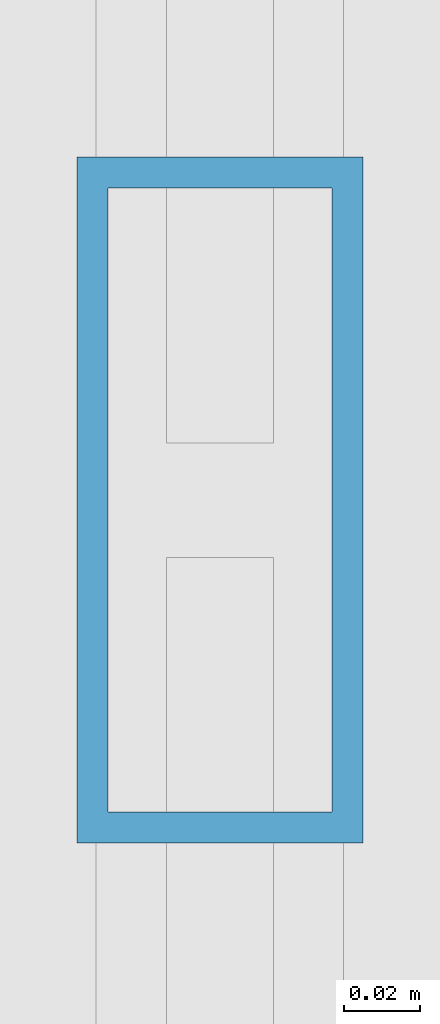
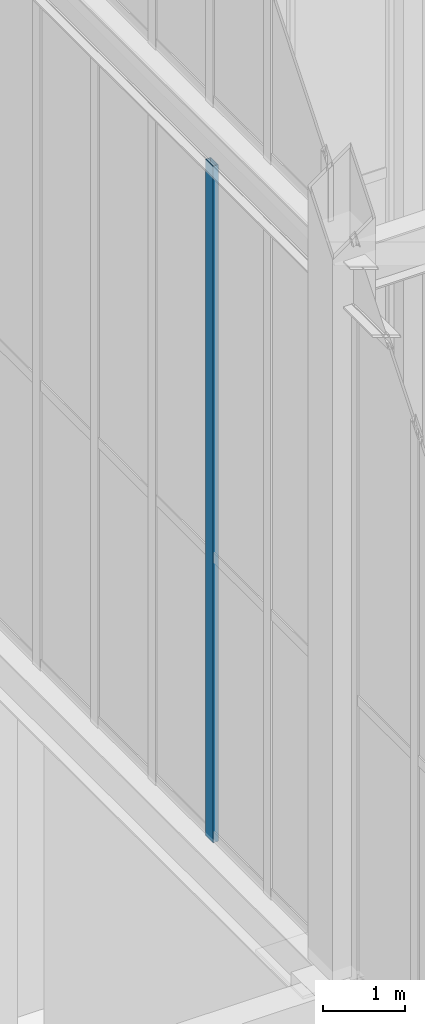
# One storey, part 89 of 135: 1 member, 1 element without a shape of its own.
"""IFC4 building model written with IfcOpenShell, lengths in metres."""

from ifc_helpers import new_model, si_unit, direction, frame, origin, origin_2d, place, context, subcontext, project, spatial, hollow_rectangle, extrude, source, transform, mapped, material, layer, layer_set, material_profile, profile_set, type_object, element, aggregate, save


model = new_model("IFC4")

# Units and contexts
model_context = context("Model", 3, precision=1e-05, world=origin(), true_north=direction((0.0, 1.0)))
body_context = subcontext(model_context, "Body", "Model", "MODEL_VIEW")
ifc_project = project(units=[si_unit("LENGTHUNIT", "METRE"), si_unit("AREAUNIT", "SQUARE_METRE"), si_unit("VOLUMEUNIT", "CUBIC_METRE"), si_unit("PLANEANGLEUNIT", "RADIAN"), si_unit("MASSUNIT", "GRAM", prefix="KILO")], contexts=[model_context])

# Site, building, storey
site_placement = place(None, origin())
site = spatial("IfcSite", under=ifc_project, at=site_placement, CompositionType="ELEMENT")
building_placement = place(site_placement, origin())
building = spatial("IfcBuilding", under=site, at=building_placement, Name="Giltprow Tower", CompositionType="ELEMENT")
storey_placement = place(building_placement, frame((0.0, 0.0, 352.699951171875)))
storey = spatial("IfcBuildingStorey", under=building, at=storey_placement, Name="L92", CompositionType="ELEMENT", Elevation=352.699951171875)

# Curtain wall, member
ifc_material = material(Name="Anodized bronze", Category="metal")
ifc_layer = layer(ifc_material, 0.179931640625, Name="Anodized bronze")
ifc_layer_set = layer_set([ifc_layer], Name="Anodized bronze")
curtain_wall_type = type_object("IfcCurtainWallType", Name="CW-CROWN-LANTERN", PredefinedType="NOTDEFINED", material=ifc_layer_set)
curtain_wall_placement = place(storey_placement, origin())
curtain_wall = element("IfcCurtainWall", 1, at=curtain_wall_placement, inside=storey, type_object=curtain_wall_type, Name="Crown East Lower Lantern Glazing 5", PredefinedType="NOTDEFINED")
ifc_material_profile = material_profile(ifc_material, hollow_rectangle(XDim=0.074951171875, YDim=0.179931640625, WallThickness=0.008056640625, at=origin_2d()), Name="RHS 180x75x8")
ifc_profile_set = profile_set([ifc_material_profile], Name="Anodized bronze")
member_type = type_object("IfcMemberType", Name="CW-MULLION-180x75", PredefinedType="MULLION", material=ifc_profile_set)
shared_shape = source(origin(), body_context, "Body", "SweptSolid", [
    extrude(hollow_rectangle(XDim=0.074951171875, YDim=0.179931640625, WallThickness=0.008056640625, at=origin_2d()), origin(), (0.0, 0.0, 1.0), 10.030029296875),
])
member_placement = place(storey_placement, frame((44.300048828125, 40.60009765625, 6.35009765625), z_axis=(0.0, 0.0, 1.0), x_axis=(1.0, 0.0, 0.0)))
member = element("IfcMember", 2, at=member_placement, type_object=member_type, Name="Crown East Lower Lantern Glazing 5 Mullion 5", PredefinedType="MULLION", context=body_context, shape_type="MappedRepresentation", body=[
    mapped(shared_shape, transform((0.0, 0.0, 0.0), x_axis=(1.0, 0.0, 0.0), y_axis=(0.0, 1.0, 0.0), z_axis=(0.0, 0.0, 1.0), scale=1.0)),
])
aggregate(curtain_wall, [member])

save(model, "model.ifc")
